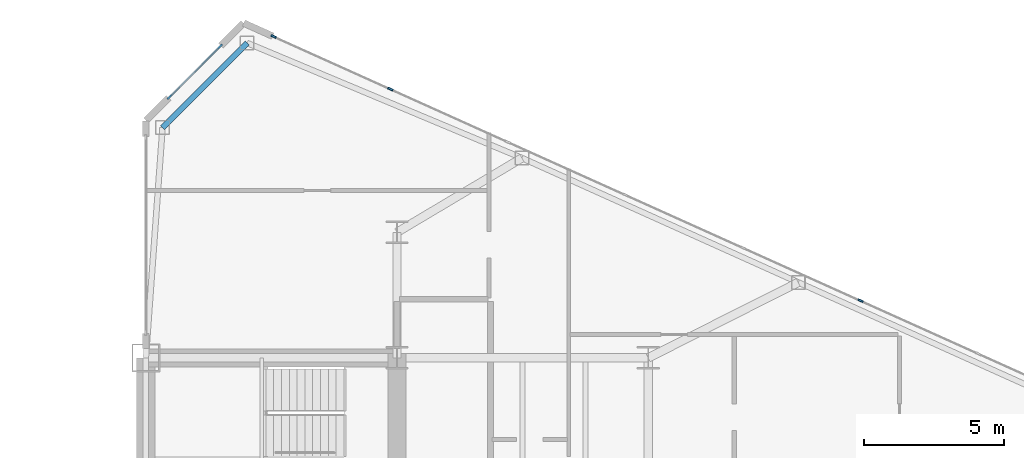
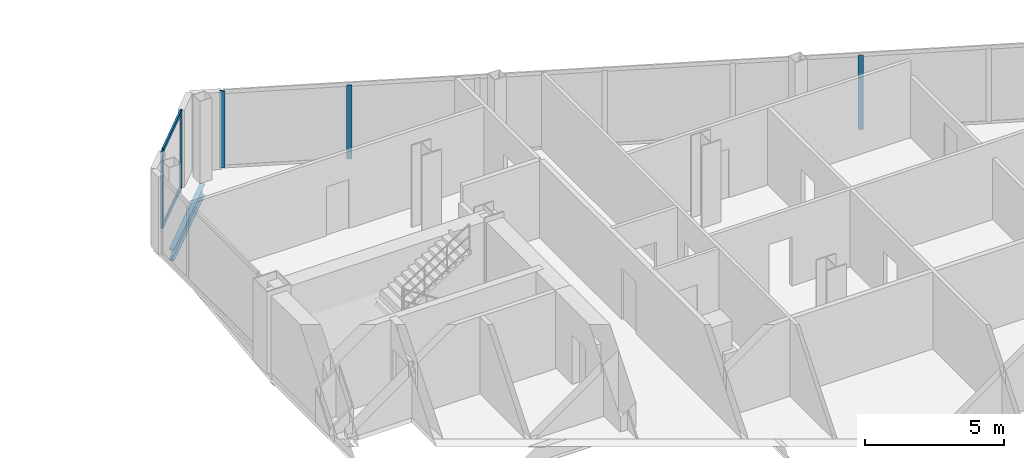
# One storey, part 15 of 27: 7 members, 1 beam, 2 elements without a shape of their own.
"""IFC4 building model written with IfcOpenShell, lengths in metres."""

from ifc_helpers import new_model, si_unit, direction, frame, origin, origin_2d, place, context, subcontext, project, spatial, rectangle, i_section, extrude, source, transform, mapped, material, layer, layer_set, material_profile, profile_set, type_object, type_shapes, element, aggregate, save


model = new_model("IFC4")

# Units and contexts
model_context = context("Model", 3, precision=1e-05, world=origin(), true_north=direction((0.0, 1.0)))
body_context = subcontext(model_context, "Body", "Model", "MODEL_VIEW")
ifc_project = project(units=[si_unit("LENGTHUNIT", "METRE"), si_unit("AREAUNIT", "SQUARE_METRE"), si_unit("VOLUMEUNIT", "CUBIC_METRE"), si_unit("PLANEANGLEUNIT", "RADIAN"), si_unit("MASSUNIT", "GRAM", prefix="KILO")], contexts=[model_context])

# Site, building, storey
site_placement = place(None, origin())
site = spatial("IfcSite", under=ifc_project, at=site_placement, CompositionType="ELEMENT")
building_placement = place(site_placement, origin())
building = spatial("IfcBuilding", under=site, at=building_placement, Name="Seokmaru Belvedere", CompositionType="ELEMENT")
storey_placement = place(building_placement, frame((0.0, 0.0, 96.0)))
storey = spatial("IfcBuildingStorey", under=building, at=storey_placement, Name="L25", CompositionType="ELEMENT", Elevation=96.0)

# Beam
ifc_material_1 = material(Name="Steel SM355 (355 MPa)", Category="steel")
ifc_material_profile_1 = material_profile(ifc_material_1, i_section(OverallWidth=0.199951171875, OverallDepth=0.5, WebThickness=0.010009765625, FlangeThickness=0.01611328125, at=origin_2d()), Name="H-500x200x10x16")
ifc_profile_set_1 = profile_set([ifc_material_profile_1], Name="Steel SM355 (355 MPa)")
beam_type = type_object("IfcBeamType", Name="Perimeter Spandrel Beam H-500", PredefinedType="SPANDREL", material=ifc_profile_set_1)
shared_shape_1 = source(origin(), body_context, "Body", "SweptSolid", [
    extrude(i_section(OverallWidth=0.199951171875, OverallDepth=0.5, WebThickness=0.010009765625, FlangeThickness=0.01611328125, at=origin_2d()), origin(), (0.0, 0.0, 1.0), 4.287109375),
])
type_shapes(beam_type, [shared_shape_1])
beam_placement = place(storey_placement, frame((31.13134765625, 24.782958984375, -0.469970703125), z_axis=(-0.707078306132, -0.707135255094, 0.0), x_axis=(0.707135255094, -0.707078306132, 0.0)))
element("IfcBeam", 1, at=beam_placement, inside=storey, type_object=beam_type, Name="L25 E Shoulder Chamfer Spandrel N", PredefinedType="SPANDREL", context=body_context, shape_type="MappedRepresentation", body=[
    mapped(shared_shape_1, transform((0.0, 0.0, 0.0), scale=1.0)),
])

# Curtain wall, member
ifc_material_2 = material(Name="Bronze Triple Insulating Glass", Category="glass")
ifc_layer = layer(ifc_material_2, 0.195068359375)
ifc_layer_set = layer_set([ifc_layer], Name="Bronze Triple Insulating Glass")
curtain_wall_type = type_object("IfcCurtainWallType", Name="Lower-Mid Tapered Curtain Wall System CW-3", PredefinedType="NOTDEFINED", material=ifc_layer_set)
curtain_wall_1_placement = place(storey_placement, origin())
curtain_wall_1 = element("IfcCurtainWall", 2, at=curtain_wall_1_placement, inside=storey, type_object=curtain_wall_type, Name="L25 Curtain Wall EF3", PredefinedType="NOTDEFINED")
ifc_material_3 = material(Name="Anodised Bronze Aluminium", Category="aluminium")
ifc_material_profile_2 = material_profile(ifc_material_3, rectangle(XDim=0.070068359375, YDim=0.195068359375, at=origin_2d()), Name="CW-M-70x195")
ifc_profile_set_2 = profile_set([ifc_material_profile_2], Name="Anodised Bronze Aluminium")
member_type_1 = type_object("IfcMemberType", Name="Bronze Unitised Mullion 70x195", PredefinedType="MULLION", material=ifc_profile_set_2)
shared_shape_2 = source(origin(), body_context, "Body", "SweptSolid", [
    extrude(rectangle(XDim=0.070068359375, YDim=0.195068359375, at=origin_2d()), origin(), (0.0, 0.0, 1.0), 3.3798828125),
])
member_1_placement = place(storey_placement, frame((32.08056640625, 25.013671875, 0.0), z_axis=(0.0, 0.0, 1.0), x_axis=(-0.41036554765, -0.91192111353, 0.0)))
member_1 = element("IfcMember", 3, at=member_1_placement, type_object=member_type_1, Name="CW:L25:EF3 Mullion 10", PredefinedType="MULLION", context=body_context, shape_type="MappedRepresentation", body=[
    mapped(shared_shape_2, transform((0.0, 0.0, 0.0), scale=1.0)),
])

# Curtain wall, members
curtain_wall_2_placement = place(storey_placement, origin())
curtain_wall_2 = element("IfcCurtainWall", 4, at=curtain_wall_2_placement, inside=storey, type_object=curtain_wall_type, Name="L25 Curtain Wall EF4", PredefinedType="NOTDEFINED")
member_2_placement = place(storey_placement, frame((30.162109375, 24.662109375, 0.0), z_axis=(0.0, 0.0, 1.0), x_axis=(0.707106781187, -0.707106781187, 0.0)))
member_2 = element("IfcMember", 5, at=member_2_placement, type_object=member_type_1, Name="CW:L25:EF4 Mullion 1", PredefinedType="MULLION", context=body_context, shape_type="MappedRepresentation", body=[
    mapped(shared_shape_2, transform((0.0, 0.0, 0.0), scale=1.0)),
])
member_3_placement = place(storey_placement, frame((28.337890625, 22.837890625, 0.0), z_axis=(0.0, 0.0, 1.0), x_axis=(0.707106781187, -0.707106781187, 0.0)))
member_3 = element("IfcMember", 6, at=member_3_placement, type_object=member_type_1, Name="CW:L25:EF4 Mullion 2", PredefinedType="MULLION", context=body_context, shape_type="MappedRepresentation", body=[
    mapped(shared_shape_2, transform((0.0, 0.0, 0.0), scale=1.0)),
])
ifc_material_profile_3 = material_profile(ifc_material_3, rectangle(XDim=0.070068359375, YDim=0.1650390625, at=origin_2d()), Name="CW-T-70x165")
ifc_profile_set_3 = profile_set([ifc_material_profile_3], Name="Anodised Bronze Aluminium")
member_type_2 = type_object("IfcMemberType", Name="Bronze Unitised Transom 70x165", PredefinedType="USERDEFINED", material=ifc_profile_set_3)
shared_shape_3 = source(origin(), body_context, "Body", "SweptSolid", [
    extrude(rectangle(XDim=0.070068359375, YDim=0.1650390625, at=origin_2d()), origin(), (0.0, 0.0, 1.0), 2.509521484375),
])
type_shapes(member_type_2, [shared_shape_3])
member_4_placement = place(storey_placement, frame((30.13720703125, 24.63720703125, 0.034912109375), z_axis=(-0.707106781187, -0.707106781187, 0.0), x_axis=(0.707106781187, -0.707106781187, 0.0)))
member_4 = element("IfcMember", 7, at=member_4_placement, type_object=member_type_2, Name="CW:L25:EF4 Continuous Transom 1", ObjectType="TRANSOM", PredefinedType="USERDEFINED", context=body_context, shape_type="MappedRepresentation", body=[
    mapped(shared_shape_3, transform((0.0, 0.0, 0.0), scale=1.0)),
])
member_5_placement = place(storey_placement, frame((30.13720703125, 24.63720703125, 3.344970703125), z_axis=(-0.707106781187, -0.707106781187, 0.0), x_axis=(0.707106781187, -0.707106781187, 0.0)))
member_5 = element("IfcMember", 8, at=member_5_placement, type_object=member_type_2, Name="CW:L25:EF4 Continuous Transom 2", ObjectType="TRANSOM", PredefinedType="USERDEFINED", context=body_context, shape_type="MappedRepresentation", body=[
    mapped(shared_shape_3, transform((0.0, 0.0, 0.0), scale=1.0)),
])
aggregate(curtain_wall_2, [member_2, member_3, member_4, member_5])

# Member
shared_shape_4 = source(origin(), body_context, "Body", "SweptSolid", [
    extrude(rectangle(XDim=0.070068359375, YDim=0.195068359375, at=origin_2d()), origin(), (0.0, 0.0, 1.0), 3.239990234375),
])
type_shapes(member_type_1, [shared_shape_2, shared_shape_4])
member_6_placement = place(storey_placement, frame((53.105712890625, 15.552490234375, 0.070068359375), z_axis=(0.0, 0.0, 1.0), x_axis=(-0.41036554765, -0.91192111353, 0.0)))
member_6 = element("IfcMember", 9, at=member_6_placement, type_object=member_type_1, Name="CW:L25:EF3 Mullion 5", PredefinedType="MULLION", context=body_context, shape_type="MappedRepresentation", body=[
    mapped(shared_shape_4, transform((0.0, 0.0, 0.0), scale=1.0)),
])

member_7_placement = place(storey_placement, frame((36.260009765625, 23.133056640625, 0.070068359375), z_axis=(0.0, 0.0, 1.0), x_axis=(-0.41036554765, -0.91192111353, 0.0)))
member_7 = element("IfcMember", 10, at=member_7_placement, type_object=member_type_1, Name="CW:L25:EF3 Mullion 9", PredefinedType="MULLION", context=body_context, shape_type="MappedRepresentation", body=[
    mapped(shared_shape_4, transform((0.0, 0.0, 0.0), scale=1.0)),
])

aggregate(curtain_wall_1, [member_6, member_7, member_1])

save(model, "model.ifc")
